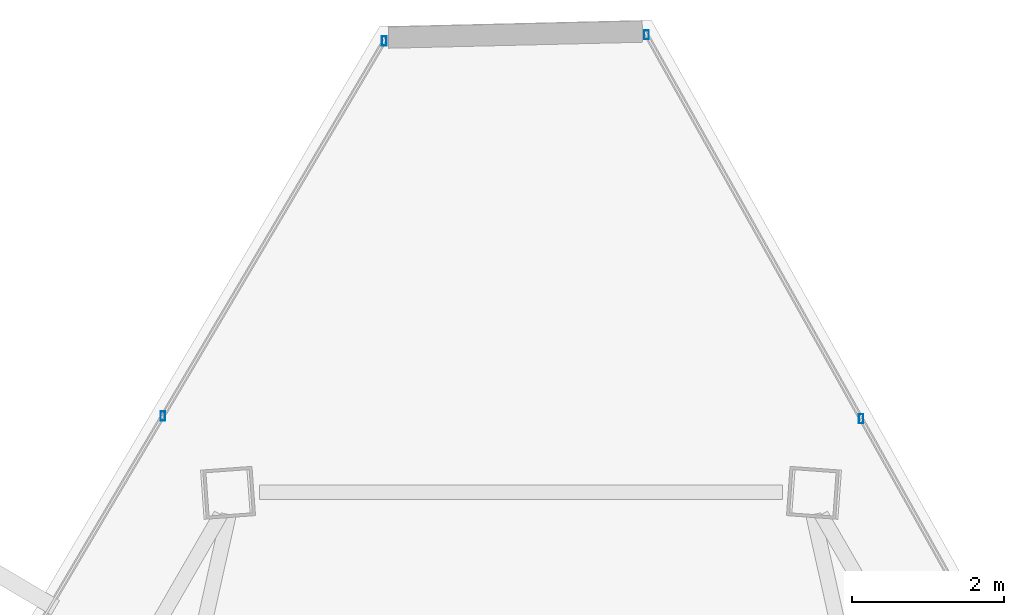
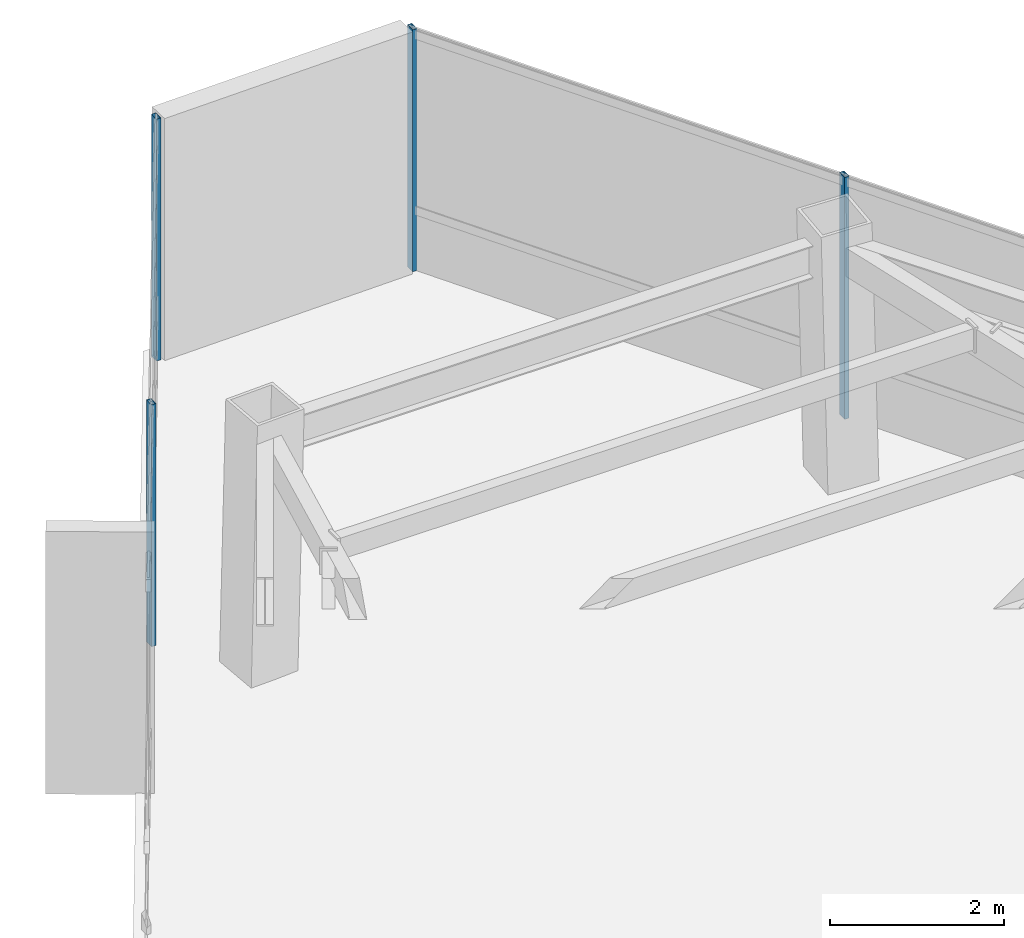
# One storey, part 33 of 47: 4 members, 2 elements without a shape of their own.
"""IFC4 building model written with IfcOpenShell, lengths in metres."""

from ifc_helpers import new_model, si_unit, direction, frame, origin, origin_2d, place, context, subcontext, project, spatial, hollow_rectangle, extrude, source, transform, mapped, material, material_profile, profile_set, type_object, type_shapes, element, aggregate, save


model = new_model("IFC4")

# Units and contexts
model_context = context("Model", 3, precision=1e-05, world=origin(), true_north=direction((0.0, 1.0)))
body_context = subcontext(model_context, "Body", "Model", "MODEL_VIEW")
ifc_project = project(units=[si_unit("LENGTHUNIT", "METRE"), si_unit("AREAUNIT", "SQUARE_METRE"), si_unit("VOLUMEUNIT", "CUBIC_METRE"), si_unit("PLANEANGLEUNIT", "RADIAN"), si_unit("MASSUNIT", "GRAM", prefix="KILO")], contexts=[model_context])

# Site, building, storey
site_placement = place(None, origin())
site = spatial("IfcSite", under=ifc_project, at=site_placement, CompositionType="ELEMENT")
building_placement = place(site_placement, origin())
building = spatial("IfcBuilding", under=site, at=building_placement, Name="Caelisora Broadcast Tower", CompositionType="ELEMENT")
storey_placement = place(building_placement, frame((0.0, 0.0, 255.39990234375)))
storey = spatial("IfcBuildingStorey", under=building, at=storey_placement, Name="L67", CompositionType="ELEMENT", Elevation=255.39990234375)

# Curtain wall, members
ifc_material_1 = material(Name="Unitised Aluminium and Low-E Glass Curtain Wall", Category="glass")
curtain_wall_type = type_object("IfcCurtainWallType", Name="CW-Z5", PredefinedType="NOTDEFINED", material=ifc_material_1)
curtain_wall_1_placement = place(storey_placement, origin())
curtain_wall_1 = element("IfcCurtainWall", 1, at=curtain_wall_1_placement, inside=storey, type_object=curtain_wall_type, Name="L67 curtain wall CW-Z5", PredefinedType="NOTDEFINED")
ifc_material_2 = material(Name="Aluminium 6063-T6 Anodised Terracotta Bronze", Category="aluminium")
ifc_material_profile = material_profile(ifc_material_2, hollow_rectangle(XDim=0.06005859375, YDim=0.1201171875, WallThickness=0.0029296875, at=origin_2d()), Name="Aluminium 6063-T6 Anodised Terracotta Bronze")
ifc_profile_set = profile_set([ifc_material_profile], Name="Aluminium 6063-T6 Anodised Terracotta Bronze")
member_type = type_object("IfcMemberType", Name="CWM-04", PredefinedType="MULLION", material=ifc_profile_set)
shared_shape = source(origin(), body_context, "Body", "SweptSolid", [
    extrude(hollow_rectangle(XDim=0.06005859375, YDim=0.1201171875, WallThickness=0.0029296875, at=origin_2d()), origin(), (0.0, 0.0, 1.0), 3.400146484375),
])
type_shapes(member_type, [shared_shape])
member_1_placement = place(storey_placement, frame((39.65234375, 52.701416015625, 0.0), z_axis=(0.0, 0.0, 1.0), x_axis=(1.0, 0.0, 0.0)))
member_1 = element("IfcMember", 2, at=member_1_placement, type_object=member_type, Name="L67-CW-B01 mullion #0", PredefinedType="MULLION", context=body_context, shape_type="MappedRepresentation", body=[
    mapped(shared_shape, transform((0.0, 0.0, 0.0), scale=1.0)),
])
member_2_placement = place(storey_placement, frame((42.4765625, 47.6494140625, 0.0), z_axis=(0.0, 0.0, 1.0), x_axis=(1.0, 0.0, 0.0)))
member_2 = element("IfcMember", 3, at=member_2_placement, type_object=member_type, Name="L67-CW-B01 mullion #1", PredefinedType="MULLION", context=body_context, shape_type="MappedRepresentation", body=[
    mapped(shared_shape, transform((0.0, 0.0, 0.0), scale=1.0)),
])
aggregate(curtain_wall_1, [member_1, member_2])

curtain_wall_2_placement = place(storey_placement, origin())
curtain_wall_2 = element("IfcCurtainWall", 4, at=curtain_wall_2_placement, inside=storey, type_object=curtain_wall_type, Name="L67 curtain wall CW-Z5", PredefinedType="NOTDEFINED")
member_3_placement = place(storey_placement, frame((33.28662109375, 47.685791015625, 0.0), z_axis=(0.0, 0.0, 1.0), x_axis=(1.0, 0.0, 0.0)))
member_3 = element("IfcMember", 5, at=member_3_placement, type_object=member_type, Name="L67-CW-B11 mullion #2", PredefinedType="MULLION", context=body_context, shape_type="MappedRepresentation", body=[
    mapped(shared_shape, transform((0.0, 0.0, 0.0), scale=1.0)),
])
member_4_placement = place(storey_placement, frame((36.20068359375, 52.620849609375, 0.0), z_axis=(0.0, 0.0, 1.0), x_axis=(1.0, 0.0, 0.0)))
member_4 = element("IfcMember", 6, at=member_4_placement, type_object=member_type, Name="L67-CW-B11 mullion #3", PredefinedType="MULLION", context=body_context, shape_type="MappedRepresentation", body=[
    mapped(shared_shape, transform((0.0, 0.0, 0.0), scale=1.0)),
])
aggregate(curtain_wall_2, [member_3, member_4])

save(model, "model.ifc")
